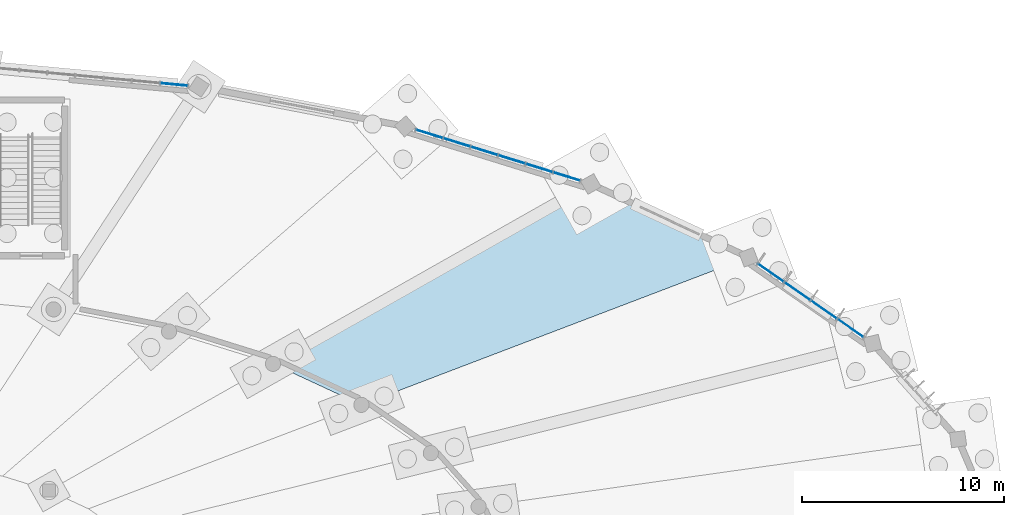
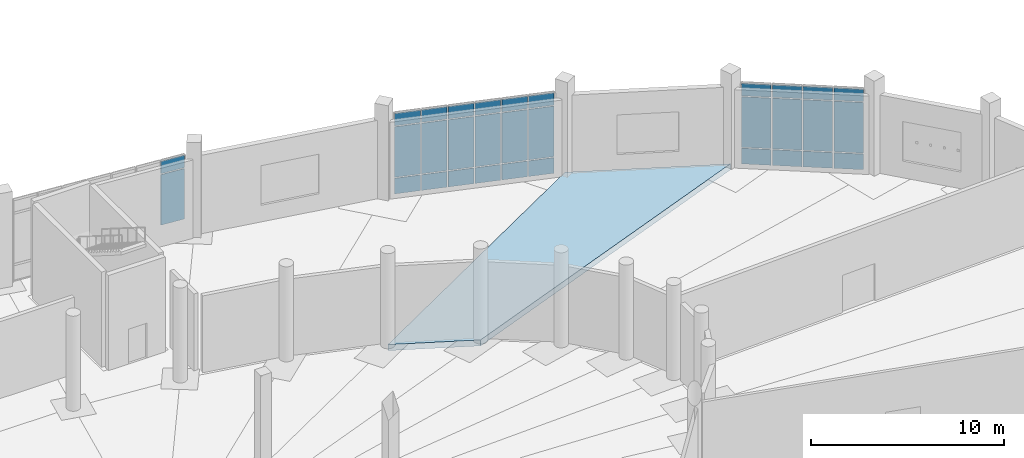
# One storey, part 73 of 140: 32 plates, 1 slab, 3 elements without a shape of their own.
"""IFC4 building model written with IfcOpenShell, lengths in metres."""

from ifc_helpers import new_model, si_unit, direction, frame, origin, origin_2d, place, context, subcontext, project, spatial, polyline, rectangle, outline, extrude, material, layer, layer_set, type_object, element, aggregate, save


model = new_model("IFC4")

# Units and contexts
model_context = context("Model", 3, precision=1e-05, world=origin(), true_north=direction((0.0, 1.0)))
body_context = subcontext(model_context, "Body", "Model", "MODEL_VIEW")
ifc_project = project(units=[si_unit("LENGTHUNIT", "METRE"), si_unit("AREAUNIT", "SQUARE_METRE"), si_unit("VOLUMEUNIT", "CUBIC_METRE"), si_unit("PLANEANGLEUNIT", "RADIAN"), si_unit("MASSUNIT", "GRAM", prefix="KILO")], contexts=[model_context])

# Site, building, storey
site_placement = place(None, origin())
site = spatial("IfcSite", under=ifc_project, at=site_placement, CompositionType="ELEMENT")
building_placement = place(site_placement, origin())
building = spatial("IfcBuilding", under=site, at=building_placement, Name="Corvandel Quay Wholesale Market", CompositionType="ELEMENT")
storey_placement = place(building_placement, origin())
storey = spatial("IfcBuildingStorey", under=building, at=storey_placement, Name="L00", CompositionType="ELEMENT", Elevation=0.0)

# Curtain wall, plates
ifc_material_1 = material(Name="Bronze anodised aluminium and low-E insulated glazing", Category="aluminium")
ifc_layer_1 = layer(ifc_material_1, 0.14990234375)
ifc_layer_set_1 = layer_set([ifc_layer_1], Name="Bronze anodised aluminium and low-E insulated glazing")
curtain_wall_type_1 = type_object("IfcCurtainWallType", Name="Stick Curtain Wall System CW05 H3450", PredefinedType="NOTDEFINED", material=ifc_layer_set_1)
curtain_wall_1_placement = place(storey_placement, origin())
curtain_wall_1 = element("IfcCurtainWall", 1, at=curtain_wall_1_placement, inside=storey, type_object=curtain_wall_type_1, Name="Curtain Wall CW-0092", PredefinedType="NOTDEFINED")
ifc_material_2 = material(Name="Solar-control low-E insulated glazing", Category="glass")
ifc_layer_2 = layer(ifc_material_2, 0.033935546875)
ifc_layer_set_2 = layer_set([ifc_layer_2], Name="Solar-control low-E insulated glazing")
plate_type_1 = type_object("IfcPlateType", Name="Acoustic Laminated Vision Panel PN02 34mm", PredefinedType="CURTAIN_PANEL", material=ifc_layer_set_2)
plate_1_placement = place(storey_placement, frame((162.5283203125, 129.079345703125, 0.0322265625), z_axis=(0.0, 0.0, 1.0), x_axis=(-0.821248804935, 0.570570241419, 0.0)))
plate_1 = element("IfcPlate", 2, at=plate_1_placement, type_object=plate_type_1, Name="Glazing Panel CW-0092-P00-0", PredefinedType="CURTAIN_PANEL", context=body_context, shape_type="SweptSolid", body=[
    extrude(rectangle(XDim=1.53076171875, YDim=0.033935546875, at=origin_2d()), origin(), (0.0, 0.0, 1.0), 0.985107421875),
])
plate_2_placement = place(storey_placement, frame((162.5283203125, 129.079345703125, 1.08251953125), z_axis=(0.0, 0.0, 1.0), x_axis=(-0.821248804935, 0.570570241419, 0.0)))
plate_2 = element("IfcPlate", 3, at=plate_2_placement, type_object=plate_type_1, Name="Glazing Panel CW-0092-P00-1", PredefinedType="CURTAIN_PANEL", context=body_context, shape_type="SweptSolid", body=[
    extrude(rectangle(XDim=1.53076171875, YDim=0.033935546875, at=origin_2d()), origin(), (0.0, 0.0, 1.0), 3.18505859375),
])
plate_3_placement = place(storey_placement, frame((161.2177734375, 129.98974609375, 0.0322265625), z_axis=(0.0, 0.0, 1.0), x_axis=(-0.821248804935, 0.570570241419, 0.0)))
plate_3 = element("IfcPlate", 4, at=plate_3_placement, type_object=plate_type_1, Name="Glazing Panel CW-0092-P01-0", PredefinedType="CURTAIN_PANEL", context=body_context, shape_type="SweptSolid", body=[
    extrude(rectangle(XDim=1.53076171875, YDim=0.033935546875, at=origin_2d()), origin(), (0.0, 0.0, 1.0), 0.985107421875),
])
plate_4_placement = place(storey_placement, frame((161.2177734375, 129.98974609375, 1.08251953125), z_axis=(0.0, 0.0, 1.0), x_axis=(-0.821248804935, 0.570570241419, 0.0)))
plate_4 = element("IfcPlate", 5, at=plate_4_placement, type_object=plate_type_1, Name="Glazing Panel CW-0092-P01-1", PredefinedType="CURTAIN_PANEL", context=body_context, shape_type="SweptSolid", body=[
    extrude(rectangle(XDim=1.53076171875, YDim=0.033935546875, at=origin_2d()), origin(), (0.0, 0.0, 1.0), 3.18505859375),
])
plate_5_placement = place(storey_placement, frame((159.9072265625, 130.900146484375, 0.0322265625), z_axis=(0.0, 0.0, 1.0), x_axis=(-0.821248804935, 0.570570241419, 0.0)))
plate_5 = element("IfcPlate", 6, at=plate_5_placement, type_object=plate_type_1, Name="Glazing Panel CW-0092-P02-0", PredefinedType="CURTAIN_PANEL", context=body_context, shape_type="SweptSolid", body=[
    extrude(rectangle(XDim=1.53076171875, YDim=0.033935546875, at=origin_2d()), origin(), (0.0, 0.0, 1.0), 0.985107421875),
])
plate_6_placement = place(storey_placement, frame((159.9072265625, 130.900146484375, 1.08251953125), z_axis=(0.0, 0.0, 1.0), x_axis=(-0.821248804935, 0.570570241419, 0.0)))
plate_6 = element("IfcPlate", 7, at=plate_6_placement, type_object=plate_type_1, Name="Glazing Panel CW-0092-P02-1", PredefinedType="CURTAIN_PANEL", context=body_context, shape_type="SweptSolid", body=[
    extrude(rectangle(XDim=1.53076171875, YDim=0.033935546875, at=origin_2d()), origin(), (0.0, 0.0, 1.0), 3.18505859375),
])
plate_7_placement = place(storey_placement, frame((158.5966796875, 131.810791015625, 0.0322265625), z_axis=(0.0, 0.0, 1.0), x_axis=(-0.821248804935, 0.570570241419, 0.0)))
plate_7 = element("IfcPlate", 8, at=plate_7_placement, type_object=plate_type_1, Name="Glazing Panel CW-0092-P03-0", PredefinedType="CURTAIN_PANEL", context=body_context, shape_type="SweptSolid", body=[
    extrude(rectangle(XDim=1.53076171875, YDim=0.033935546875, at=origin_2d()), origin(), (0.0, 0.0, 1.0), 0.985107421875),
])
plate_8_placement = place(storey_placement, frame((158.5966796875, 131.810791015625, 1.08251953125), z_axis=(0.0, 0.0, 1.0), x_axis=(-0.821248804935, 0.570570241419, 0.0)))
plate_8 = element("IfcPlate", 9, at=plate_8_placement, type_object=plate_type_1, Name="Glazing Panel CW-0092-P03-1", PredefinedType="CURTAIN_PANEL", context=body_context, shape_type="SweptSolid", body=[
    extrude(rectangle(XDim=1.53076171875, YDim=0.033935546875, at=origin_2d()), origin(), (0.0, 0.0, 1.0), 3.18505859375),
])

ifc_layer_3 = layer(ifc_material_1, 0.174072265625)
ifc_layer_set_3 = layer_set([ifc_layer_3], Name="Bronze anodised aluminium and low-E insulated glazing")
curtain_wall_type_2 = type_object("IfcCurtainWallType", Name="Stick Curtain Wall System CW07 H3630", PredefinedType="NOTDEFINED", material=ifc_layer_set_3)
curtain_wall_2_placement = place(storey_placement, origin())
curtain_wall_2 = element("IfcCurtainWall", 10, at=curtain_wall_2_placement, inside=storey, type_object=curtain_wall_type_2, Name="Curtain Wall CW-0094", PredefinedType="NOTDEFINED")
plate_9_placement = place(storey_placement, frame((148.50390625, 136.56640625, 0.0322265625), z_axis=(0.0, 0.0, 1.0), x_axis=(-0.955123398809, 0.296208192067, 0.0)))
plate_9 = element("IfcPlate", 11, at=plate_9_placement, type_object=plate_type_1, Name="Glazing Panel CW-0094-P00-0", PredefinedType="CURTAIN_PANEL", context=body_context, shape_type="SweptSolid", body=[
    extrude(rectangle(XDim=1.35546875, YDim=0.033935546875, at=origin_2d()), origin(), (0.0, 0.0, 1.0), 0.985107421875),
])
plate_10_placement = place(storey_placement, frame((148.50390625, 136.56640625, 1.08251953125), z_axis=(0.0, 0.0, 1.0), x_axis=(-0.955123398809, 0.296208192067, 0.0)))
plate_10 = element("IfcPlate", 12, at=plate_10_placement, type_object=plate_type_1, Name="Glazing Panel CW-0094-P00-1", PredefinedType="CURTAIN_PANEL", context=body_context, shape_type="SweptSolid", body=[
    extrude(rectangle(XDim=1.35546875, YDim=0.033935546875, at=origin_2d()), origin(), (0.0, 0.0, 1.0), 3.18505859375),
])
plate_11_placement = place(storey_placement, frame((147.147216796875, 136.9873046875, 0.0322265625), z_axis=(0.0, 0.0, 1.0), x_axis=(-0.955123398809, 0.296208192067, 0.0)))
plate_11 = element("IfcPlate", 13, at=plate_11_placement, type_object=plate_type_1, Name="Glazing Panel CW-0094-P01-0", PredefinedType="CURTAIN_PANEL", context=body_context, shape_type="SweptSolid", body=[
    extrude(rectangle(XDim=1.35546875, YDim=0.033935546875, at=origin_2d()), origin(), (0.0, 0.0, 1.0), 0.985107421875),
])
plate_12_placement = place(storey_placement, frame((147.147216796875, 136.9873046875, 1.08251953125), z_axis=(0.0, 0.0, 1.0), x_axis=(-0.955123398809, 0.296208192067, 0.0)))
plate_12 = element("IfcPlate", 14, at=plate_12_placement, type_object=plate_type_1, Name="Glazing Panel CW-0094-P01-1", PredefinedType="CURTAIN_PANEL", context=body_context, shape_type="SweptSolid", body=[
    extrude(rectangle(XDim=1.35546875, YDim=0.033935546875, at=origin_2d()), origin(), (0.0, 0.0, 1.0), 3.18505859375),
])
plate_13_placement = place(storey_placement, frame((145.790283203125, 137.408203125, 0.0322265625), z_axis=(0.0, 0.0, 1.0), x_axis=(-0.955123398809, 0.296208192067, 0.0)))
plate_13 = element("IfcPlate", 15, at=plate_13_placement, type_object=plate_type_1, Name="Glazing Panel CW-0094-P02-0", PredefinedType="CURTAIN_PANEL", context=body_context, shape_type="SweptSolid", body=[
    extrude(rectangle(XDim=1.35546875, YDim=0.033935546875, at=origin_2d()), origin(), (0.0, 0.0, 1.0), 0.985107421875),
])
plate_14_placement = place(storey_placement, frame((145.790283203125, 137.408203125, 1.08251953125), z_axis=(0.0, 0.0, 1.0), x_axis=(-0.955123398809, 0.296208192067, 0.0)))
plate_14 = element("IfcPlate", 16, at=plate_14_placement, type_object=plate_type_1, Name="Glazing Panel CW-0094-P02-1", PredefinedType="CURTAIN_PANEL", context=body_context, shape_type="SweptSolid", body=[
    extrude(rectangle(XDim=1.35546875, YDim=0.033935546875, at=origin_2d()), origin(), (0.0, 0.0, 1.0), 3.18505859375),
])
plate_15_placement = place(storey_placement, frame((144.43359375, 137.828857421875, 0.0322265625), z_axis=(0.0, 0.0, 1.0), x_axis=(-0.955123398809, 0.296208192067, 0.0)))
plate_15 = element("IfcPlate", 17, at=plate_15_placement, type_object=plate_type_1, Name="Glazing Panel CW-0094-P03-0", PredefinedType="CURTAIN_PANEL", context=body_context, shape_type="SweptSolid", body=[
    extrude(rectangle(XDim=1.35546875, YDim=0.033935546875, at=origin_2d()), origin(), (0.0, 0.0, 1.0), 0.985107421875),
])
plate_16_placement = place(storey_placement, frame((144.43359375, 137.828857421875, 1.08251953125), z_axis=(0.0, 0.0, 1.0), x_axis=(-0.955123398809, 0.296208192067, 0.0)))
plate_16 = element("IfcPlate", 18, at=plate_16_placement, type_object=plate_type_1, Name="Glazing Panel CW-0094-P03-1", PredefinedType="CURTAIN_PANEL", context=body_context, shape_type="SweptSolid", body=[
    extrude(rectangle(XDim=1.35546875, YDim=0.033935546875, at=origin_2d()), origin(), (0.0, 0.0, 1.0), 3.18505859375),
])
plate_17_placement = place(storey_placement, frame((143.076904296875, 138.249755859375, 0.0322265625), z_axis=(0.0, 0.0, 1.0), x_axis=(-0.955123398809, 0.296208192067, 0.0)))
plate_17 = element("IfcPlate", 19, at=plate_17_placement, type_object=plate_type_1, Name="Glazing Panel CW-0094-P04-0", PredefinedType="CURTAIN_PANEL", context=body_context, shape_type="SweptSolid", body=[
    extrude(rectangle(XDim=1.35546875, YDim=0.033935546875, at=origin_2d()), origin(), (0.0, 0.0, 1.0), 0.985107421875),
])
plate_18_placement = place(storey_placement, frame((143.076904296875, 138.249755859375, 1.08251953125), z_axis=(0.0, 0.0, 1.0), x_axis=(-0.955123398809, 0.296208192067, 0.0)))
plate_18 = element("IfcPlate", 20, at=plate_18_placement, type_object=plate_type_1, Name="Glazing Panel CW-0094-P04-1", PredefinedType="CURTAIN_PANEL", context=body_context, shape_type="SweptSolid", body=[
    extrude(rectangle(XDim=1.35546875, YDim=0.033935546875, at=origin_2d()), origin(), (0.0, 0.0, 1.0), 3.18505859375),
])
plate_19_placement = place(storey_placement, frame((141.72021484375, 138.670654296875, 0.0322265625), z_axis=(0.0, 0.0, 1.0), x_axis=(-0.955123398809, 0.296208192067, 0.0)))
plate_19 = element("IfcPlate", 21, at=plate_19_placement, type_object=plate_type_1, Name="Glazing Panel CW-0094-P05-0", PredefinedType="CURTAIN_PANEL", context=body_context, shape_type="SweptSolid", body=[
    extrude(rectangle(XDim=1.35546875, YDim=0.033935546875, at=origin_2d()), origin(), (0.0, 0.0, 1.0), 0.985107421875),
])
plate_20_placement = place(storey_placement, frame((141.72021484375, 138.670654296875, 1.08251953125), z_axis=(0.0, 0.0, 1.0), x_axis=(-0.955123398809, 0.296208192067, 0.0)))
plate_20 = element("IfcPlate", 22, at=plate_20_placement, type_object=plate_type_1, Name="Glazing Panel CW-0094-P05-1", PredefinedType="CURTAIN_PANEL", context=body_context, shape_type="SweptSolid", body=[
    extrude(rectangle(XDim=1.35546875, YDim=0.033935546875, at=origin_2d()), origin(), (0.0, 0.0, 1.0), 3.18505859375),
])

# Curtain wall, plate
ifc_layer_4 = layer(ifc_material_1, 0.197998046875)
ifc_layer_set_4 = layer_set([ifc_layer_4], Name="Bronze anodised aluminium and low-E insulated glazing")
curtain_wall_type_3 = type_object("IfcCurtainWallType", Name="Stick Curtain Wall System CW09 H3810", PredefinedType="NOTDEFINED", material=ifc_layer_set_4)
curtain_wall_3_placement = place(storey_placement, origin())
curtain_wall_3 = element("IfcCurtainWall", 23, at=curtain_wall_3_placement, inside=storey, type_object=curtain_wall_type_3, Name="Curtain Wall CW-0096", PredefinedType="NOTDEFINED")
plate_21_placement = place(storey_placement, frame((129.101318359375, 141.114990234375, 1.08251953125), z_axis=(0.0, 0.0, 1.0), x_axis=(-0.995756880939, 0.092023008338, 0.0)))
plate_21 = element("IfcPlate", 24, at=plate_21_placement, type_object=plate_type_1, Name="Glazing Panel CW-0096-P00-1", PredefinedType="CURTAIN_PANEL", context=body_context, shape_type="SweptSolid", body=[
    extrude(rectangle(XDim=1.3330078125, YDim=0.033935546875, at=origin_2d()), origin(), (0.0, 0.0, 1.0), 3.18505859375),
])

# Plate
ifc_layer_5 = layer(ifc_material_2, 0.0400390625)
ifc_layer_set_5 = layer_set([ifc_layer_5], Name="Solar-control low-E insulated glazing")
plate_type_2 = type_object("IfcPlateType", Name="Ceramic Fritted Spandrel Panel PN03 40mm", PredefinedType="CURTAIN_PANEL", material=ifc_layer_set_5)
plate_22_placement = place(storey_placement, frame((162.5283203125, 129.079345703125, 4.33251953125), z_axis=(0.0, 0.0, 1.0), x_axis=(-0.821248804935, 0.570570241419, 0.0)))
plate_22 = element("IfcPlate", 25, at=plate_22_placement, type_object=plate_type_2, Name="Glazing Panel CW-0092-P00-2", PredefinedType="CURTAIN_PANEL", context=body_context, shape_type="SweptSolid", body=[
    extrude(rectangle(XDim=1.53076171875, YDim=0.0400390625, at=origin_2d()), origin(), (0.0, 0.0, 1.0), 0.784912109375),
])

plate_23_placement = place(storey_placement, frame((161.2177734375, 129.98974609375, 4.33251953125), z_axis=(0.0, 0.0, 1.0), x_axis=(-0.821248804935, 0.570570241419, 0.0)))
plate_23 = element("IfcPlate", 26, at=plate_23_placement, type_object=plate_type_2, Name="Glazing Panel CW-0092-P01-2", PredefinedType="CURTAIN_PANEL", context=body_context, shape_type="SweptSolid", body=[
    extrude(rectangle(XDim=1.53076171875, YDim=0.0400390625, at=origin_2d()), origin(), (0.0, 0.0, 1.0), 0.784912109375),
])

plate_24_placement = place(storey_placement, frame((159.9072265625, 130.900146484375, 4.33251953125), z_axis=(0.0, 0.0, 1.0), x_axis=(-0.821248804935, 0.570570241419, 0.0)))
plate_24 = element("IfcPlate", 27, at=plate_24_placement, type_object=plate_type_2, Name="Glazing Panel CW-0092-P02-2", PredefinedType="CURTAIN_PANEL", context=body_context, shape_type="SweptSolid", body=[
    extrude(rectangle(XDim=1.53076171875, YDim=0.0400390625, at=origin_2d()), origin(), (0.0, 0.0, 1.0), 0.784912109375),
])

plate_25_placement = place(storey_placement, frame((158.5966796875, 131.810791015625, 4.33251953125), z_axis=(0.0, 0.0, 1.0), x_axis=(-0.821248804935, 0.570570241419, 0.0)))
plate_25 = element("IfcPlate", 28, at=plate_25_placement, type_object=plate_type_2, Name="Glazing Panel CW-0092-P03-2", PredefinedType="CURTAIN_PANEL", context=body_context, shape_type="SweptSolid", body=[
    extrude(rectangle(XDim=1.53076171875, YDim=0.0400390625, at=origin_2d()), origin(), (0.0, 0.0, 1.0), 0.784912109375),
])

aggregate(curtain_wall_1, [plate_1, plate_2, plate_22, plate_3, plate_4, plate_23, plate_5, plate_6, plate_24, plate_7, plate_8, plate_25])

plate_26_placement = place(storey_placement, frame((148.50390625, 136.56640625, 4.33251953125), z_axis=(0.0, 0.0, 1.0), x_axis=(-0.955123398809, 0.296208192067, 0.0)))
plate_26 = element("IfcPlate", 29, at=plate_26_placement, type_object=plate_type_2, Name="Glazing Panel CW-0094-P00-2", PredefinedType="CURTAIN_PANEL", context=body_context, shape_type="SweptSolid", body=[
    extrude(rectangle(XDim=1.35546875, YDim=0.0400390625, at=origin_2d()), origin(), (0.0, 0.0, 1.0), 0.784912109375),
])

plate_27_placement = place(storey_placement, frame((147.147216796875, 136.9873046875, 4.33251953125), z_axis=(0.0, 0.0, 1.0), x_axis=(-0.955123398809, 0.296208192067, 0.0)))
plate_27 = element("IfcPlate", 30, at=plate_27_placement, type_object=plate_type_2, Name="Glazing Panel CW-0094-P01-2", PredefinedType="CURTAIN_PANEL", context=body_context, shape_type="SweptSolid", body=[
    extrude(rectangle(XDim=1.35546875, YDim=0.0400390625, at=origin_2d()), origin(), (0.0, 0.0, 1.0), 0.784912109375),
])

plate_28_placement = place(storey_placement, frame((145.790283203125, 137.408203125, 4.33251953125), z_axis=(0.0, 0.0, 1.0), x_axis=(-0.955123398809, 0.296208192067, 0.0)))
plate_28 = element("IfcPlate", 31, at=plate_28_placement, type_object=plate_type_2, Name="Glazing Panel CW-0094-P02-2", PredefinedType="CURTAIN_PANEL", context=body_context, shape_type="SweptSolid", body=[
    extrude(rectangle(XDim=1.35546875, YDim=0.0400390625, at=origin_2d()), origin(), (0.0, 0.0, 1.0), 0.784912109375),
])

plate_29_placement = place(storey_placement, frame((144.43359375, 137.828857421875, 4.33251953125), z_axis=(0.0, 0.0, 1.0), x_axis=(-0.955123398809, 0.296208192067, 0.0)))
plate_29 = element("IfcPlate", 32, at=plate_29_placement, type_object=plate_type_2, Name="Glazing Panel CW-0094-P03-2", PredefinedType="CURTAIN_PANEL", context=body_context, shape_type="SweptSolid", body=[
    extrude(rectangle(XDim=1.35546875, YDim=0.0400390625, at=origin_2d()), origin(), (0.0, 0.0, 1.0), 0.784912109375),
])

plate_30_placement = place(storey_placement, frame((143.076904296875, 138.249755859375, 4.33251953125), z_axis=(0.0, 0.0, 1.0), x_axis=(-0.955123398809, 0.296208192067, 0.0)))
plate_30 = element("IfcPlate", 33, at=plate_30_placement, type_object=plate_type_2, Name="Glazing Panel CW-0094-P04-2", PredefinedType="CURTAIN_PANEL", context=body_context, shape_type="SweptSolid", body=[
    extrude(rectangle(XDim=1.35546875, YDim=0.0400390625, at=origin_2d()), origin(), (0.0, 0.0, 1.0), 0.784912109375),
])

plate_31_placement = place(storey_placement, frame((141.72021484375, 138.670654296875, 4.33251953125), z_axis=(0.0, 0.0, 1.0), x_axis=(-0.955123398809, 0.296208192067, 0.0)))
plate_31 = element("IfcPlate", 34, at=plate_31_placement, type_object=plate_type_2, Name="Glazing Panel CW-0094-P05-2", PredefinedType="CURTAIN_PANEL", context=body_context, shape_type="SweptSolid", body=[
    extrude(rectangle(XDim=1.35546875, YDim=0.0400390625, at=origin_2d()), origin(), (0.0, 0.0, 1.0), 0.784912109375),
])

aggregate(curtain_wall_2, [plate_9, plate_10, plate_26, plate_11, plate_12, plate_27, plate_13, plate_14, plate_28, plate_15, plate_16, plate_29, plate_17, plate_18, plate_30, plate_19, plate_20, plate_31])

plate_32_placement = place(storey_placement, frame((129.101318359375, 141.114990234375, 4.33251953125), z_axis=(0.0, 0.0, 1.0), x_axis=(-0.995756880939, 0.092023008338, 0.0)))
plate_32 = element("IfcPlate", 35, at=plate_32_placement, type_object=plate_type_2, Name="Glazing Panel CW-0096-P00-2", PredefinedType="CURTAIN_PANEL", context=body_context, shape_type="SweptSolid", body=[
    extrude(rectangle(XDim=1.3330078125, YDim=0.0400390625, at=origin_2d()), origin(), (0.0, 0.0, 1.0), 0.784912109375),
])

aggregate(curtain_wall_3, [plate_21, plate_32])

# Slab
ifc_material_3 = material(Name="Concrete C40/50", Category="concrete")
ifc_layer_6 = layer(ifc_material_3, 0.3798828125)
ifc_layer_set_6 = layer_set([ifc_layer_6], Name="Concrete C40/50")
slab_type = type_object("IfcSlabType", Name="Ground Bearing Fish Hall Slab 380", PredefinedType="BASESLAB", material=ifc_layer_set_6)
slab_placement = place(storey_placement, frame((0.0, 0.0, -0.3798828125)))
element("IfcSlab", 36, at=slab_placement, inside=storey, type_object=slab_type, Name="Slab SLB-0222", PredefinedType="BASESLAB", context=body_context, shape_type="SweptSolid", body=[
    extrude(outline(polyline([(157.498046875, 132.573974609375), (149.697998046875, 136.196044921875), (133.990966796875, 127.30908203125), (138.35888671875, 125.281005859375), (157.498046875, 132.573974609375)])), origin(), (0.0, 0.0, 1.0), 0.3798828125),
])

save(model, "model.ifc")
